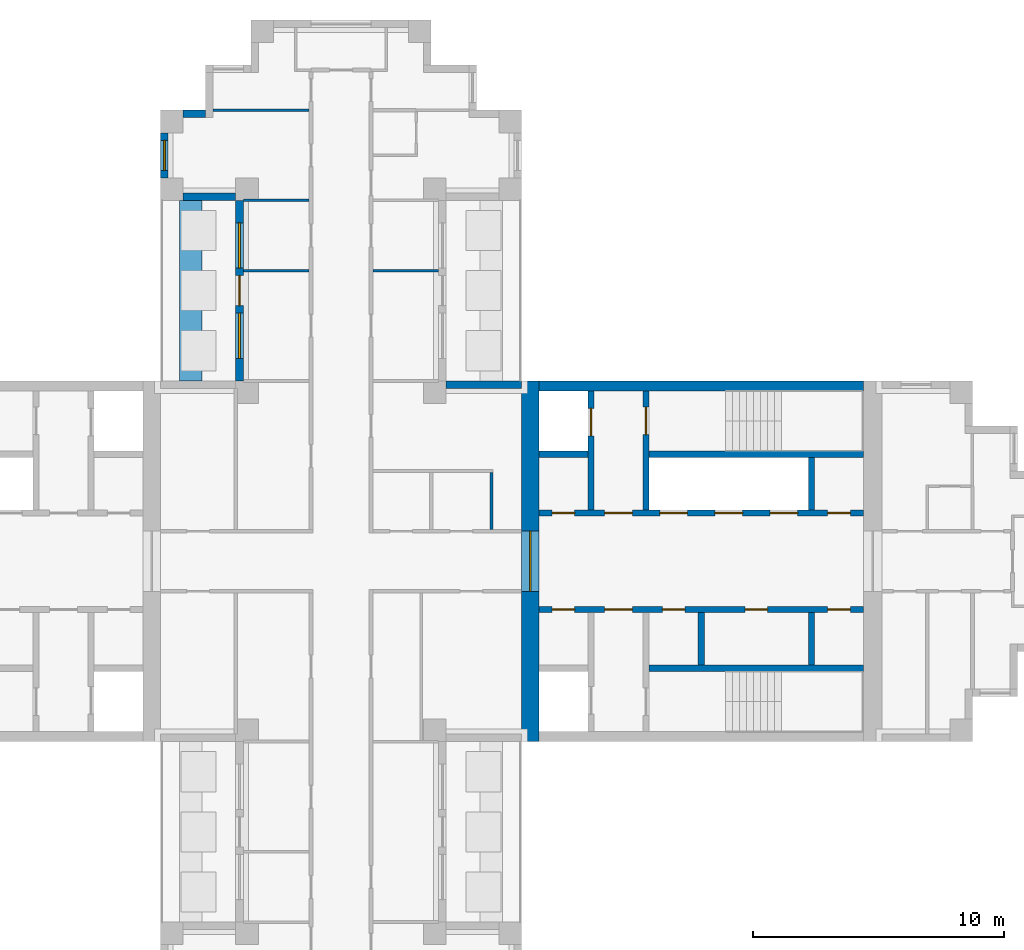
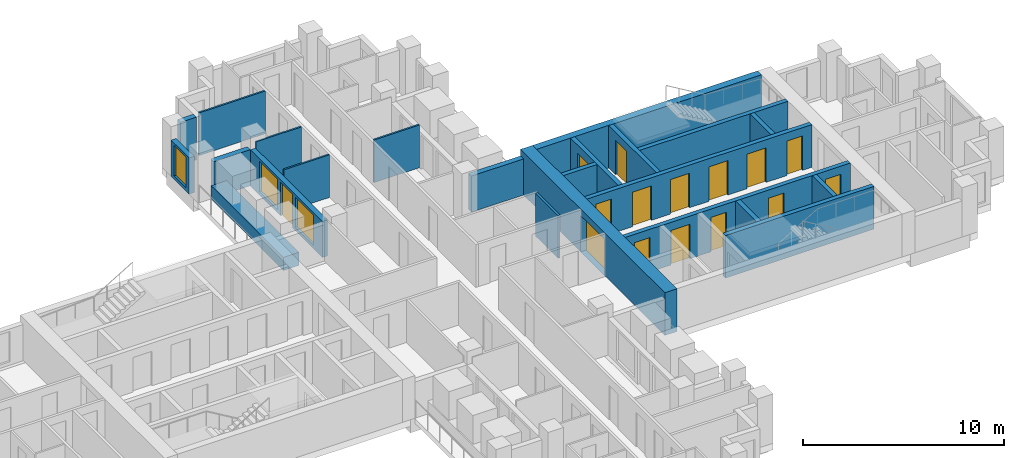
# One storey, part 6 of 10: 23 walls, 15 doors, 3 windows, 18 openings.
"""IFC4 building model written with IfcOpenShell, lengths in metres."""

from ifc_helpers import new_model, si_unit, direction, frame, frame_2d, origin, place, context, subcontext, project, spatial, rectangle, extrude, material, layer, layer_set, type_object, element, fill, save


model = new_model("IFC4")

# Units and contexts
model_context = context("Model", 3, precision=1e-05, world=origin(), true_north=direction((0.0, 1.0)))
body_context = subcontext(model_context, "Body", "Model", "MODEL_VIEW")
ifc_project = project(units=[si_unit("LENGTHUNIT", "METRE"), si_unit("AREAUNIT", "SQUARE_METRE"), si_unit("VOLUMEUNIT", "CUBIC_METRE"), si_unit("PLANEANGLEUNIT", "RADIAN"), si_unit("MASSUNIT", "GRAM", prefix="KILO")], contexts=[model_context])

# Site, building, storey
site_placement = place(None, origin())
site = spatial("IfcSite", under=ifc_project, at=site_placement, CompositionType="ELEMENT")
building_placement = place(site_placement, origin())
building = spatial("IfcBuilding", under=site, at=building_placement, Name="Fustian Cross Tower", CompositionType="ELEMENT")
storey_placement = place(building_placement, frame((0.0, 0.0, 182.699951171875)))
storey = spatial("IfcBuildingStorey", under=building, at=storey_placement, Name="L57", CompositionType="ELEMENT", Elevation=182.699951171875)

# Wall, opening, door
ifc_material_1 = material(Name="Concrete C50/60", Category="concrete")
ifc_layer_1 = layer(ifc_material_1, 0.699951171875)
ifc_layer_set_1 = layer_set([ifc_layer_1], Name="Concrete C50/60")
wall_type_1 = type_object("IfcWallType", Name="CORE END WALL 700 C50/60", PredefinedType="SHEAR", material=ifc_layer_set_1)
wall_1_placement = place(storey_placement, frame((7.550048828125, -7.199951171875, 0.0), z_axis=(0.0, 0.0, 1.0), x_axis=(0.0, 1.0, 0.0)))
wall_1 = element("IfcWall", 1, at=wall_1_placement, inside=storey, type_object=wall_type_1, Name="Core end wall", PredefinedType="SHEAR", context=body_context, shape_type="SweptSolid", body=[
    extrude(rectangle(XDim=14.39990234375, YDim=0.699951171875, at=frame_2d((7.199951171875, 0.0))), origin(), (0.0, 0.0, 1.0), 2.60009765625),
])
opening_1_placement = place(wall_1_placement, frame((6.0, 0.0, 0.0)))
opening_1 = element("IfcOpeningElement", 2, at=opening_1_placement, cuts=wall_1, Name="Opening CD-23-12", PredefinedType="OPENING", context=body_context, shape_type="SweptSolid", body=[
    extrude(rectangle(XDim=2.39990234375, YDim=2.199951171875, at=frame_2d((1.199951171875, 1.10009765625))), frame((0.0, 0.35986328125, 0.0), z_axis=(0.0, -1.0, 0.0), x_axis=(1.0, 0.0, 0.0)), (0.0, 0.0, 1.0), 0.719970703125),
])
ifc_material_2 = material(Name="Steel", Category="steel")
door_type_1 = type_object("IfcDoorType", Name="FIRE DOOR FD30S DOUBLE 2400X2200", OperationType="DOUBLE_DOOR_DOUBLE_SWING", PredefinedType="DOOR", material=ifc_material_2)
door_1_placement = place(opening_1_placement, frame((2.39990234375, 0.0, 0.0), z_axis=(0.0, 0.0, 1.0), x_axis=(-1.0, 0.0, 0.0)))
door_1 = element("IfcDoor", 3, at=door_1_placement, inside=storey, type_object=door_type_1, Name="Core door CD-23-12", OperationType="DOUBLE_DOOR_DOUBLE_SWING", OverallHeight=2.199951171875, OverallWidth=2.39990234375, PredefinedType="DOOR", context=body_context, shape_type="SweptSolid", body=[
    extrude(rectangle(XDim=2.39990234375, YDim=2.199951171875, at=frame_2d((1.199951171875, 1.10009765625))), frame((0.0, 0.02490234375, 0.0), z_axis=(0.0, -1.0, 0.0), x_axis=(1.0, 0.0, 0.0)), (0.0, 0.0, 1.0), 0.050048828125),
])
fill(opening_1, door_1)

# Wall
ifc_material_3 = material(Name="Concrete C50/60", Category="concrete")
ifc_layer_2 = layer(ifc_material_3, 0.39990234375)
ifc_layer_set_2 = layer_set([ifc_layer_2], Name="Concrete C50/60")
wall_type_2 = type_object("IfcWallType", Name="CORE FACADE WALL 400 C50/60", PredefinedType="SHEAR", material=ifc_layer_set_2)
wall_2_placement = place(storey_placement, frame((7.89990234375, 7.0, 0.0), z_axis=(0.0, 0.0, 1.0), x_axis=(1.0, 0.0, 0.0)))
element("IfcWall", 4, at=wall_2_placement, inside=storey, type_object=wall_type_2, Name="Core facade wall", PredefinedType="SHEAR", context=body_context, shape_type="SweptSolid", body=[
    extrude(rectangle(XDim=12.9501953125, YDim=0.39990234375, at=frame_2d((6.47509765625, 0.0))), origin(), (0.0, 0.0, 1.0), 2.60009765625),
])

# Wall, openings, doors
ifc_material_4 = material(Name="Concrete C50/60", Category="concrete")
ifc_layer_3 = layer(ifc_material_4, 0.25)
ifc_layer_set_3 = layer_set([ifc_layer_3], Name="Concrete C50/60")
wall_type_3 = type_object("IfcWallType", Name="CORE LOBBY WALL 250 C50/60", PredefinedType="SHEAR", material=ifc_layer_set_3)
wall_3_placement = place(storey_placement, frame((7.89990234375, 1.925048828125, 0.0), z_axis=(0.0, 0.0, 1.0), x_axis=(1.0, 0.0, 0.0)))
wall_3 = element("IfcWall", 5, at=wall_3_placement, inside=storey, type_object=wall_type_3, Name="Core lobby wall", PredefinedType="SHEAR", context=body_context, shape_type="SweptSolid", body=[
    extrude(rectangle(XDim=12.9501953125, YDim=0.25, at=frame_2d((6.47509765625, 0.0))), origin(), (0.0, 0.0, 1.0), 2.60009765625),
])
opening_2_placement = place(wall_3_placement, frame((4.824951171875, 0.0, 0.0)))
opening_2 = element("IfcOpeningElement", 6, at=opening_2_placement, cuts=wall_3, Name="Opening LD", PredefinedType="OPENING", context=body_context, shape_type="SweptSolid", body=[
    extrude(rectangle(XDim=1.10009765625, YDim=2.10009765625, at=frame_2d((0.550048828125, 1.050048828125))), frame((0.0, 0.135009765625, 0.0), z_axis=(0.0, -1.0, 0.0), x_axis=(1.0, 0.0, 0.0)), (0.0, 0.0, 1.0), 0.27001953125),
])
opening_3_placement = place(wall_3_placement, frame((7.02490234375, 0.0, 0.0)))
opening_3 = element("IfcOpeningElement", 7, at=opening_3_placement, cuts=wall_3, Name="Opening LD", PredefinedType="OPENING", context=body_context, shape_type="SweptSolid", body=[
    extrude(rectangle(XDim=1.10009765625, YDim=2.10009765625, at=frame_2d((0.550048828125, 1.050048828125))), frame((0.0, 0.135009765625, 0.0), z_axis=(0.0, -1.0, 0.0), x_axis=(1.0, 0.0, 0.0)), (0.0, 0.0, 1.0), 0.27001953125),
])
opening_4_placement = place(wall_3_placement, frame((9.22509765625, 0.0, 0.0)))
opening_4 = element("IfcOpeningElement", 8, at=opening_4_placement, cuts=wall_3, Name="Opening LD", PredefinedType="OPENING", context=body_context, shape_type="SweptSolid", body=[
    extrude(rectangle(XDim=1.10009765625, YDim=2.10009765625, at=frame_2d((0.550048828125, 1.050048828125))), frame((0.0, 0.135009765625, 0.0), z_axis=(0.0, -1.0, 0.0), x_axis=(1.0, 0.0, 0.0)), (0.0, 0.0, 1.0), 0.27001953125),
])
opening_5_placement = place(wall_3_placement, frame((0.52490234375, 0.0, 0.0)))
opening_5 = element("IfcOpeningElement", 9, at=opening_5_placement, cuts=wall_3, Name="Opening CD-23-08", PredefinedType="OPENING", context=body_context, shape_type="SweptSolid", body=[
    extrude(rectangle(XDim=0.89990234375, YDim=2.10009765625, at=frame_2d((0.449951171875, 1.050048828125))), frame((0.0, 0.135009765625, 0.0), z_axis=(0.0, -1.0, 0.0), x_axis=(1.0, 0.0, 0.0)), (0.0, 0.0, 1.0), 0.27001953125),
])
opening_6_placement = place(wall_3_placement, frame((2.625, 0.0, 0.0)))
opening_6 = element("IfcOpeningElement", 10, at=opening_6_placement, cuts=wall_3, Name="Opening CD-23-10", PredefinedType="OPENING", context=body_context, shape_type="SweptSolid", body=[
    extrude(rectangle(XDim=1.10009765625, YDim=2.10009765625, at=frame_2d((0.550048828125, 1.050048828125))), frame((0.0, 0.135009765625, 0.0), z_axis=(0.0, -1.0, 0.0), x_axis=(1.0, 0.0, 0.0)), (0.0, 0.0, 1.0), 0.27001953125),
])
opening_7_placement = place(wall_3_placement, frame((11.52490234375, 0.0, 0.0)))
opening_7 = element("IfcOpeningElement", 11, at=opening_7_placement, cuts=wall_3, Name="Opening CD-23-14", PredefinedType="OPENING", context=body_context, shape_type="SweptSolid", body=[
    extrude(rectangle(XDim=0.89990234375, YDim=2.10009765625, at=frame_2d((0.449951171875, 1.050048828125))), frame((0.0, 0.135009765625, 0.0), z_axis=(0.0, -1.0, 0.0), x_axis=(1.0, 0.0, 0.0)), (0.0, 0.0, 1.0), 0.27001953125),
])
ifc_material_5 = material(Name="Steel", Category="steel")
door_type_2 = type_object("IfcDoorType", Name="FIRE DOOR FD30S 900X2100", OperationType="SINGLE_SWING_LEFT", PredefinedType="DOOR", material=ifc_material_5)
door_2_placement = place(opening_7_placement, origin())
door_2 = element("IfcDoor", 12, at=door_2_placement, inside=storey, type_object=door_type_2, Name="Core door CD-23-14", OperationType="SINGLE_SWING_LEFT", OverallHeight=2.10009765625, OverallWidth=0.89990234375, PredefinedType="DOOR", context=body_context, shape_type="SweptSolid", body=[
    extrude(rectangle(XDim=0.89990234375, YDim=2.10009765625, at=frame_2d((0.449951171875, 1.050048828125))), frame((0.0, 0.02490234375, 0.0), z_axis=(0.0, -1.0, 0.0), x_axis=(1.0, 0.0, 0.0)), (0.0, 0.0, 1.0), 0.050048828125),
])
fill(opening_7, door_2)
ifc_material_6 = material(Name="Steel", Category="steel")
door_type_3 = type_object("IfcDoorType", Name="FIRE DOOR FD60S 1100X2100", OperationType="SINGLE_SWING_LEFT", PredefinedType="DOOR", material=ifc_material_6)
door_3_placement = place(opening_6_placement, frame((1.10009765625, 0.0, 0.0), z_axis=(0.0, 0.0, 1.0), x_axis=(-1.0, 0.0, 0.0)))
door_3 = element("IfcDoor", 13, at=door_3_placement, inside=storey, type_object=door_type_3, Name="Core door CD-23-10", OperationType="SINGLE_SWING_RIGHT", OverallHeight=2.10009765625, OverallWidth=1.10009765625, PredefinedType="DOOR", context=body_context, shape_type="SweptSolid", body=[
    extrude(rectangle(XDim=1.10009765625, YDim=2.10009765625, at=frame_2d((0.550048828125, 1.050048828125))), frame((0.0, 0.02490234375, 0.0), z_axis=(0.0, -1.0, 0.0), x_axis=(1.0, 0.0, 0.0)), (0.0, 0.0, 1.0), 0.050048828125),
])
fill(opening_6, door_3)
ifc_material_7 = material(Name="Steel", Category="steel")
door_type_4 = type_object("IfcDoorType", Name="FIRE DOOR FD60S 900X2100", OperationType="SINGLE_SWING_LEFT", PredefinedType="DOOR", material=ifc_material_7)
door_4_placement = place(opening_5_placement, origin())
door_4 = element("IfcDoor", 14, at=door_4_placement, inside=storey, type_object=door_type_4, Name="Core door CD-23-08", OperationType="SINGLE_SWING_LEFT", OverallHeight=2.10009765625, OverallWidth=0.89990234375, PredefinedType="DOOR", context=body_context, shape_type="SweptSolid", body=[
    extrude(rectangle(XDim=0.89990234375, YDim=2.10009765625, at=frame_2d((0.449951171875, 1.050048828125))), frame((0.0, 0.02490234375, 0.0), z_axis=(0.0, -1.0, 0.0), x_axis=(1.0, 0.0, 0.0)), (0.0, 0.0, 1.0), 0.050048828125),
])
fill(opening_5, door_4)
ifc_material_8 = material(Name="Stainless steel", Category="steel")
door_type_5 = type_object("IfcDoorType", Name="LIFT LANDING DOOR 1100X2100", OperationType="SLIDING_TO_LEFT", PredefinedType="DOOR", material=ifc_material_8)
door_5_placement = place(opening_2_placement, origin())
door_5 = element("IfcDoor", 15, at=door_5_placement, inside=storey, type_object=door_type_5, Name="Landing door HR1", OperationType="SLIDING_TO_LEFT", OverallHeight=2.10009765625, OverallWidth=1.10009765625, PredefinedType="DOOR", context=body_context, shape_type="SweptSolid", body=[
    extrude(rectangle(XDim=1.10009765625, YDim=2.10009765625, at=frame_2d((0.550048828125, 1.050048828125))), frame((0.0, 0.02490234375, 0.0), z_axis=(0.0, -1.0, 0.0), x_axis=(1.0, 0.0, 0.0)), (0.0, 0.0, 1.0), 0.050048828125),
])
fill(opening_2, door_5)
door_6_placement = place(opening_3_placement, origin())
door_6 = element("IfcDoor", 16, at=door_6_placement, inside=storey, type_object=door_type_5, Name="Landing door HR2", OperationType="SLIDING_TO_LEFT", OverallHeight=2.10009765625, OverallWidth=1.10009765625, PredefinedType="DOOR", context=body_context, shape_type="SweptSolid", body=[
    extrude(rectangle(XDim=1.10009765625, YDim=2.10009765625, at=frame_2d((0.550048828125, 1.050048828125))), frame((0.0, 0.02490234375, 0.0), z_axis=(0.0, -1.0, 0.0), x_axis=(1.0, 0.0, 0.0)), (0.0, 0.0, 1.0), 0.050048828125),
])
fill(opening_3, door_6)
door_7_placement = place(opening_4_placement, origin())
door_7 = element("IfcDoor", 17, at=door_7_placement, inside=storey, type_object=door_type_5, Name="Landing door HR3", OperationType="SLIDING_TO_LEFT", OverallHeight=2.10009765625, OverallWidth=1.10009765625, PredefinedType="DOOR", context=body_context, shape_type="SweptSolid", body=[
    extrude(rectangle(XDim=1.10009765625, YDim=2.10009765625, at=frame_2d((0.550048828125, 1.050048828125))), frame((0.0, 0.02490234375, 0.0), z_axis=(0.0, -1.0, 0.0), x_axis=(1.0, 0.0, 0.0)), (0.0, 0.0, 1.0), 0.050048828125),
])
fill(opening_4, door_7)

wall_4_placement = place(storey_placement, frame((7.89990234375, -1.925048828125, 0.0), z_axis=(0.0, 0.0, 1.0), x_axis=(1.0, 0.0, 0.0)))
wall_4 = element("IfcWall", 18, at=wall_4_placement, inside=storey, type_object=wall_type_3, Name="Core lobby wall", PredefinedType="SHEAR", context=body_context, shape_type="SweptSolid", body=[
    extrude(rectangle(XDim=12.9501953125, YDim=0.25, at=frame_2d((6.47509765625, 0.0))), origin(), (0.0, 0.0, 1.0), 2.60009765625),
])
opening_8_placement = place(wall_4_placement, frame((0.52490234375, 0.0, 0.0)))
opening_8 = element("IfcOpeningElement", 19, at=opening_8_placement, cuts=wall_4, Name="Opening CD-23-09", PredefinedType="OPENING", context=body_context, shape_type="SweptSolid", body=[
    extrude(rectangle(XDim=0.89990234375, YDim=2.10009765625, at=frame_2d((0.449951171875, 1.050048828125))), frame((0.0, 0.135009765625, 0.0), z_axis=(0.0, -1.0, 0.0), x_axis=(1.0, 0.0, 0.0)), (0.0, 0.0, 1.0), 0.27001953125),
])
opening_9_placement = place(wall_4_placement, frame((2.625, 0.0, 0.0)))
opening_9 = element("IfcOpeningElement", 20, at=opening_9_placement, cuts=wall_4, Name="Opening CD-23-11", PredefinedType="OPENING", context=body_context, shape_type="SweptSolid", body=[
    extrude(rectangle(XDim=1.10009765625, YDim=2.10009765625, at=frame_2d((0.550048828125, 1.050048828125))), frame((0.0, 0.135009765625, 0.0), z_axis=(0.0, -1.0, 0.0), x_axis=(1.0, 0.0, 0.0)), (0.0, 0.0, 1.0), 0.27001953125),
])
opening_10_placement = place(wall_4_placement, frame((4.925048828125, 0.0, 0.0)))
opening_10 = element("IfcOpeningElement", 21, at=opening_10_placement, cuts=wall_4, Name="Opening CD-23-15", PredefinedType="OPENING", context=body_context, shape_type="SweptSolid", body=[
    extrude(rectangle(XDim=0.89990234375, YDim=2.10009765625, at=frame_2d((0.449951171875, 1.050048828125))), frame((0.0, 0.135009765625, 0.0), z_axis=(0.0, -1.0, 0.0), x_axis=(1.0, 0.0, 0.0)), (0.0, 0.0, 1.0), 0.27001953125),
])
opening_11_placement = place(wall_4_placement, frame((8.22509765625, 0.0, 0.0)))
opening_11 = element("IfcOpeningElement", 22, at=opening_11_placement, cuts=wall_4, Name="Opening CD-23-16", PredefinedType="OPENING", context=body_context, shape_type="SweptSolid", body=[
    extrude(rectangle(XDim=0.89990234375, YDim=2.10009765625, at=frame_2d((0.449951171875, 1.050048828125))), frame((0.0, 0.135009765625, 0.0), z_axis=(0.0, -1.0, 0.0), x_axis=(1.0, 0.0, 0.0)), (0.0, 0.0, 1.0), 0.27001953125),
])
opening_12_placement = place(wall_4_placement, frame((11.52490234375, 0.0, 0.0)))
opening_12 = element("IfcOpeningElement", 23, at=opening_12_placement, cuts=wall_4, Name="Opening CD-23-17", PredefinedType="OPENING", context=body_context, shape_type="SweptSolid", body=[
    extrude(rectangle(XDim=0.89990234375, YDim=2.10009765625, at=frame_2d((0.449951171875, 1.050048828125))), frame((0.0, 0.135009765625, 0.0), z_axis=(0.0, -1.0, 0.0), x_axis=(1.0, 0.0, 0.0)), (0.0, 0.0, 1.0), 0.27001953125),
])
ifc_material_9 = material(Name="Steel", Category="steel")
door_type_6 = type_object("IfcDoorType", Name="FIRE DOOR FD30S 1100X2100", OperationType="SINGLE_SWING_LEFT", PredefinedType="DOOR", material=ifc_material_9)
door_8_placement = place(opening_9_placement, frame((1.10009765625, 0.0, 0.0), z_axis=(0.0, 0.0, 1.0), x_axis=(-1.0, 0.0, 0.0)))
door_8 = element("IfcDoor", 24, at=door_8_placement, inside=storey, type_object=door_type_6, Name="Core door CD-23-11", OperationType="SINGLE_SWING_RIGHT", OverallHeight=2.10009765625, OverallWidth=1.10009765625, PredefinedType="DOOR", context=body_context, shape_type="SweptSolid", body=[
    extrude(rectangle(XDim=1.10009765625, YDim=2.10009765625, at=frame_2d((0.550048828125, 1.050048828125))), frame((0.0, 0.02490234375, 0.0), z_axis=(0.0, -1.0, 0.0), x_axis=(1.0, 0.0, 0.0)), (0.0, 0.0, 1.0), 0.050048828125),
])
fill(opening_9, door_8)
door_9_placement = place(opening_8_placement, frame((0.89990234375, 0.0, 0.0), z_axis=(0.0, 0.0, 1.0), x_axis=(-1.0, 0.0, 0.0)))
door_9 = element("IfcDoor", 25, at=door_9_placement, inside=storey, type_object=door_type_2, Name="Core door CD-23-09", OperationType="SINGLE_SWING_RIGHT", OverallHeight=2.10009765625, OverallWidth=0.89990234375, PredefinedType="DOOR", context=body_context, shape_type="SweptSolid", body=[
    extrude(rectangle(XDim=0.89990234375, YDim=2.10009765625, at=frame_2d((0.449951171875, 1.050048828125))), frame((0.0, 0.02490234375, 0.0), z_axis=(0.0, -1.0, 0.0), x_axis=(1.0, 0.0, 0.0)), (0.0, 0.0, 1.0), 0.050048828125),
])
fill(opening_8, door_9)
door_10_placement = place(opening_10_placement, frame((0.89990234375, 0.0, 0.0), z_axis=(0.0, 0.0, 1.0), x_axis=(-1.0, 0.0, 0.0)))
door_10 = element("IfcDoor", 26, at=door_10_placement, inside=storey, type_object=door_type_2, Name="Core door CD-23-15", OperationType="SINGLE_SWING_RIGHT", OverallHeight=2.10009765625, OverallWidth=0.89990234375, PredefinedType="DOOR", context=body_context, shape_type="SweptSolid", body=[
    extrude(rectangle(XDim=0.89990234375, YDim=2.10009765625, at=frame_2d((0.449951171875, 1.050048828125))), frame((0.0, 0.02490234375, 0.0), z_axis=(0.0, -1.0, 0.0), x_axis=(1.0, 0.0, 0.0)), (0.0, 0.0, 1.0), 0.050048828125),
])
fill(opening_10, door_10)
door_11_placement = place(opening_11_placement, frame((0.89990234375, 0.0, 0.0), z_axis=(0.0, 0.0, 1.0), x_axis=(-1.0, 0.0, 0.0)))
door_11 = element("IfcDoor", 27, at=door_11_placement, inside=storey, type_object=door_type_2, Name="Core door CD-23-16", OperationType="SINGLE_SWING_LEFT", OverallHeight=2.10009765625, OverallWidth=0.89990234375, PredefinedType="DOOR", context=body_context, shape_type="SweptSolid", body=[
    extrude(rectangle(XDim=0.89990234375, YDim=2.10009765625, at=frame_2d((0.449951171875, 1.050048828125))), frame((0.0, 0.02490234375, 0.0), z_axis=(0.0, -1.0, 0.0), x_axis=(1.0, 0.0, 0.0)), (0.0, 0.0, 1.0), 0.050048828125),
])
fill(opening_11, door_11)
door_12_placement = place(opening_12_placement, frame((0.89990234375, 0.0, 0.0), z_axis=(0.0, 0.0, 1.0), x_axis=(-1.0, 0.0, 0.0)))
door_12 = element("IfcDoor", 28, at=door_12_placement, inside=storey, type_object=door_type_2, Name="Core door CD-23-17", OperationType="SINGLE_SWING_RIGHT", OverallHeight=2.10009765625, OverallWidth=0.89990234375, PredefinedType="DOOR", context=body_context, shape_type="SweptSolid", body=[
    extrude(rectangle(XDim=0.89990234375, YDim=2.10009765625, at=frame_2d((0.449951171875, 1.050048828125))), frame((0.0, 0.02490234375, 0.0), z_axis=(0.0, -1.0, 0.0), x_axis=(1.0, 0.0, 0.0)), (0.0, 0.0, 1.0), 0.050048828125),
])
fill(opening_12, door_12)

# Walls
ifc_material_10 = material(Name="Concrete C50/60", Category="concrete")
ifc_layer_4 = layer(ifc_material_10, 0.25)
ifc_layer_set_4 = layer_set([ifc_layer_4], Name="Concrete C50/60")
wall_type_4 = type_object("IfcWallType", Name="CORE SHAFT WALL 250 C50/60", PredefinedType="SHEAR", material=ifc_layer_set_4)
wall_5_placement = place(storey_placement, frame((7.89990234375, 4.27490234375, 0.0), z_axis=(0.0, 0.0, 1.0), x_axis=(1.0, 0.0, 0.0)))
element("IfcWall", 29, at=wall_5_placement, inside=storey, type_object=wall_type_4, Name="Core shaft wall", PredefinedType="SHEAR", context=body_context, shape_type="SweptSolid", body=[
    extrude(rectangle(XDim=1.9501953125, YDim=0.25, at=frame_2d((0.97509765625, 0.0))), origin(), (0.0, 0.0, 1.0), 2.60009765625),
])
wall_6_placement = place(storey_placement, frame((12.300048828125, 4.27490234375, 0.0), z_axis=(0.0, 0.0, 1.0), x_axis=(1.0, 0.0, 0.0)))
element("IfcWall", 30, at=wall_6_placement, inside=storey, type_object=wall_type_4, Name="Core shaft wall", PredefinedType="SHEAR", context=body_context, shape_type="SweptSolid", body=[
    extrude(rectangle(XDim=8.550048828125, YDim=0.25, at=frame_2d((4.27490234375, 0.0))), origin(), (0.0, 0.0, 1.0), 2.60009765625),
])

# Wall, opening, door
wall_7_placement = place(storey_placement, frame((9.97509765625, 2.050048828125, 0.0), z_axis=(0.0, 0.0, 1.0), x_axis=(0.0, 1.0, 0.0)))
wall_7 = element("IfcWall", 31, at=wall_7_placement, inside=storey, type_object=wall_type_4, Name="Core shaft wall", PredefinedType="SHEAR", context=body_context, shape_type="SweptSolid", body=[
    extrude(rectangle(XDim=4.75, YDim=0.25, at=frame_2d((2.375, 0.0))), origin(), (0.0, 0.0, 1.0), 2.60009765625),
])
opening_13_placement = place(wall_7_placement, frame((2.949951171875, 0.0, 0.0)))
opening_13 = element("IfcOpeningElement", 32, at=opening_13_placement, cuts=wall_7, Name="Opening LD", PredefinedType="OPENING", context=body_context, shape_type="SweptSolid", body=[
    extrude(rectangle(XDim=1.10009765625, YDim=2.10009765625, at=frame_2d((0.550048828125, 1.050048828125))), frame((0.0, 0.135009765625, 0.0), z_axis=(0.0, -1.0, 0.0), x_axis=(1.0, 0.0, 0.0)), (0.0, 0.0, 1.0), 0.27001953125),
])
door_13_placement = place(opening_13_placement, origin())
door_13 = element("IfcDoor", 33, at=door_13_placement, inside=storey, type_object=door_type_5, Name="Landing door FL1", OperationType="SLIDING_TO_LEFT", OverallHeight=2.10009765625, OverallWidth=1.10009765625, PredefinedType="DOOR", context=body_context, shape_type="SweptSolid", body=[
    extrude(rectangle(XDim=1.10009765625, YDim=2.10009765625, at=frame_2d((0.550048828125, 1.050048828125))), frame((0.0, 0.02490234375, 0.0), z_axis=(0.0, -1.0, 0.0), x_axis=(1.0, 0.0, 0.0)), (0.0, 0.0, 1.0), 0.050048828125),
])
fill(opening_13, door_13)

wall_8_placement = place(storey_placement, frame((12.175048828125, 2.050048828125, 0.0), z_axis=(0.0, 0.0, 1.0), x_axis=(0.0, 1.0, 0.0)))
wall_8 = element("IfcWall", 34, at=wall_8_placement, inside=storey, type_object=wall_type_4, Name="Core shaft wall", PredefinedType="SHEAR", context=body_context, shape_type="SweptSolid", body=[
    extrude(rectangle(XDim=4.75, YDim=0.25, at=frame_2d((2.375, 0.0))), origin(), (0.0, 0.0, 1.0), 2.60009765625),
])
opening_14_placement = place(wall_8_placement, frame((3.0, 0.0, 0.0)))
opening_14 = element("IfcOpeningElement", 35, at=opening_14_placement, cuts=wall_8, Name="Opening CD-23-06", PredefinedType="OPENING", context=body_context, shape_type="SweptSolid", body=[
    extrude(rectangle(XDim=1.10009765625, YDim=2.10009765625, at=frame_2d((0.550048828125, 1.050048828125))), frame((0.0, 0.135009765625, 0.0), z_axis=(0.0, -1.0, 0.0), x_axis=(1.0, 0.0, 0.0)), (0.0, 0.0, 1.0), 0.27001953125),
])
door_14_placement = place(opening_14_placement, frame((1.10009765625, 0.0, 0.0), z_axis=(0.0, 0.0, 1.0), x_axis=(-1.0, 0.0, 0.0)))
door_14 = element("IfcDoor", 36, at=door_14_placement, inside=storey, type_object=door_type_3, Name="Core door CD-23-06", OperationType="SINGLE_SWING_RIGHT", OverallHeight=2.10009765625, OverallWidth=1.10009765625, PredefinedType="DOOR", context=body_context, shape_type="SweptSolid", body=[
    extrude(rectangle(XDim=1.10009765625, YDim=2.10009765625, at=frame_2d((0.550048828125, 1.050048828125))), frame((0.0, 0.02490234375, 0.0), z_axis=(0.0, -1.0, 0.0), x_axis=(1.0, 0.0, 0.0)), (0.0, 0.0, 1.0), 0.050048828125),
])
fill(opening_14, door_14)

# Walls
wall_9_placement = place(storey_placement, frame((12.300048828125, -4.27490234375, 0.0), z_axis=(0.0, 0.0, 1.0), x_axis=(1.0, 0.0, 0.0)))
element("IfcWall", 37, at=wall_9_placement, inside=storey, type_object=wall_type_4, Name="Core shaft wall", PredefinedType="SHEAR", context=body_context, shape_type="SweptSolid", body=[
    extrude(rectangle(XDim=8.550048828125, YDim=0.25, at=frame_2d((4.27490234375, 0.0))), origin(), (0.0, 0.0, 1.0), 2.60009765625),
])
ifc_material_11 = material(Name="Plasterboard on steel stud", Category="steel")
ifc_layer_5 = layer(ifc_material_11, 0.10009765625)
ifc_layer_set_5 = layer_set([ifc_layer_5], Name="Plasterboard on steel stud")
wall_type_5 = type_object("IfcWallType", Name="PARTITION 100 STUD", PredefinedType="PARTITIONING", material=ifc_layer_set_5)
wall_10_placement = place(storey_placement, frame((-5.10009765625, 18.0, 0.0), z_axis=(0.0, 0.0, 1.0), x_axis=(1.0, 0.0, 0.0)))
element("IfcWall", 38, at=wall_10_placement, inside=storey, type_object=wall_type_5, Name="Partition 15", PredefinedType="PARTITIONING", context=body_context, shape_type="SweptSolid", body=[
    extrude(rectangle(XDim=3.8251953125, YDim=0.10009765625, at=frame_2d((1.91259765625, 0.0))), origin(), (0.0, 0.0, 1.0), 2.60009765625),
])
for number, where, z_axis, x_axis, name in (
    (39, (-3.89990234375, 11.60009765625, 0.0), (0.0, 0.0, 1.0), (1.0, 0.0, 0.0), "Partition 22"),
    (40, (-3.89990234375, 14.39990234375, 0.0), (0.0, 0.0, 1.0), (1.0, 0.0, 0.0), "Partition 23"),
    (41, (1.27490234375, 11.60009765625, 0.0), (0.0, 0.0, 1.0), (1.0, 0.0, 0.0), "Partition 46"),
):
    element("IfcWall", number, at=place(storey_placement, frame(where, z_axis=z_axis, x_axis=x_axis)), inside=storey, type_object=wall_type_5, Name=name, PredefinedType="PARTITIONING", context=body_context, shape_type="SweptSolid", body=[
        extrude(rectangle(XDim=2.625, YDim=0.10009765625, at=frame_2d((1.3125, 0.0))), origin(), (0.0, 0.0, 1.0), 2.60009765625),
    ])
ifc_material_12 = material(Name="Concrete C40/50", Category="concrete")
ifc_layer_6 = layer(ifc_material_12, 0.89990234375)
ifc_layer_set_6 = layer_set([ifc_layer_6], Name="Concrete C40/50")
wall_type_6 = type_object("IfcWallType", Name="PK1 PLANTER 900", PredefinedType="PARAPET", material=ifc_layer_set_6)
wall_11_placement = place(storey_placement, frame((-6.0, 7.199951171875, 0.0), z_axis=(0.0, 0.0, 1.0), x_axis=(0.0, 1.0, 0.0)))
element("IfcWall", 42, at=wall_11_placement, inside=storey, type_object=wall_type_6, Name="PLANTER", PredefinedType="PARAPET", context=body_context, shape_type="SweptSolid", body=[
    extrude(rectangle(XDim=7.199951171875, YDim=0.89990234375, at=frame_2d((3.60009765625, 0.0))), origin(), (0.0, 0.0, 1.0), 0.800048828125),
])
ifc_material_13 = material(Name="Concrete C40/50", Category="concrete")
ifc_layer_7 = layer(ifc_material_13, 0.25)
ifc_layer_set_7 = layer_set([ifc_layer_7], Name="Concrete C40/50")
wall_type_7 = type_object("IfcWallType", Name="SHAFT PARTITION WALL 250 C40/50", PredefinedType="PARTITIONING", material=ifc_layer_set_7)
for number, where, z_axis, x_axis, name in (
    (43, (18.77490234375, 2.050048828125, 0.0), (0.0, 0.0, 1.0), (0.0, 1.0, 0.0), "Core shaft wall"),
    (44, (14.375, -2.050048828125, 0.0), (0.0, 0.0, 1.0), (0.0, -1.0, 0.0), "Core shaft wall"),
    (45, (18.77490234375, -2.050048828125, 0.0), (0.0, 0.0, 1.0), (0.0, -1.0, 0.0), "Core shaft wall"),
):
    element("IfcWall", number, at=place(storey_placement, frame(where, z_axis=z_axis, x_axis=x_axis)), inside=storey, type_object=wall_type_7, Name=name, PredefinedType="PARTITIONING", context=body_context, shape_type="SweptSolid", body=[
        extrude(rectangle(XDim=2.099853515625, YDim=0.25, at=frame_2d((1.0498046875, 0.0))), origin(), (0.0, 0.0, 1.0), 2.60009765625),
    ])
ifc_material_14 = material(Name="Plasterboard on steel stud", Category="steel")
ifc_layer_8 = layer(ifc_material_14, 0.125)
ifc_layer_set_8 = layer_set([ifc_layer_8], Name="Plasterboard on steel stud")
wall_type_8 = type_object("IfcWallType", Name="WET WALL 125 STUD", PredefinedType="PARTITIONING", material=ifc_layer_set_8)
wall_12_placement = place(storey_placement, frame((6.0, 1.27490234375, 0.0), z_axis=(0.0, 0.0, 1.0), x_axis=(0.0, 1.0, 0.0)))
element("IfcWall", 46, at=wall_12_placement, inside=storey, type_object=wall_type_8, Name="Partition 57", PredefinedType="PARTITIONING", context=body_context, shape_type="SweptSolid", body=[
    extrude(rectangle(XDim=2.2626953125, YDim=0.125, at=frame_2d((1.13134765625, 0.0))), origin(), (0.0, 0.0, 1.0), 2.60009765625),
])
ifc_material_15 = material(Name="Dark aluminium cladding on insulated backing wall", Category="aluminium")
ifc_layer_9 = layer(ifc_material_15, 0.300048828125)
ifc_layer_set_9 = layer_set([ifc_layer_9], Name="Dark aluminium cladding on insulated backing wall")
wall_type_9 = type_object("IfcWallType", Name="XW1 EXTERNAL WALL 300", PredefinedType="SOLIDWALL", material=ifc_layer_set_9)
wall_13_placement = place(storey_placement, frame((7.199951171875, 7.050048828125, 0.0), z_axis=(0.0, 0.0, 1.0), x_axis=(-1.0, 0.0, 0.0)))
element("IfcWall", 47, at=wall_13_placement, inside=storey, type_object=wall_type_9, Name="External wall", PredefinedType="SOLIDWALL", context=body_context, shape_type="SweptSolid", body=[
    extrude(rectangle(XDim=3.0, YDim=0.300048828125, at=frame_2d((1.5, 0.0))), origin(), (0.0, 0.0, 1.0), 2.199951171875),
])
wall_14_placement = place(storey_placement, frame((-5.39990234375, 17.85009765625, 0.0), z_axis=(0.0, 0.0, 1.0), x_axis=(-1.0, 0.0, 0.0)))
element("IfcWall", 48, at=wall_14_placement, inside=storey, type_object=wall_type_9, Name="External wall", PredefinedType="SOLIDWALL", context=body_context, shape_type="SweptSolid", body=[
    extrude(rectangle(XDim=0.900146484375, YDim=0.300048828125, at=frame_2d((0.4501953125, 0.0))), origin(), (0.0, 0.0, 1.0), 2.60009765625),
])

# Wall, opening, window
wall_15_placement = place(storey_placement, frame((-7.050048828125, 17.10009765625, 0.0), z_axis=(0.0, 0.0, 1.0), x_axis=(0.0, -1.0, 0.0)))
wall_15 = element("IfcWall", 49, at=wall_15_placement, inside=storey, type_object=wall_type_9, Name="External wall", PredefinedType="SOLIDWALL", context=body_context, shape_type="SweptSolid", body=[
    extrude(rectangle(XDim=1.800048828125, YDim=0.300048828125, at=frame_2d((0.89990234375, 0.0))), origin(), (0.0, 0.0, 1.0), 2.199951171875),
])
opening_15_placement = place(wall_15_placement, frame((0.300048828125, 0.0, 0.199951171875)))
opening_15 = element("IfcOpeningElement", 50, at=opening_15_placement, cuts=wall_15, Name="Opening WN3", PredefinedType="OPENING", context=body_context, shape_type="SweptSolid", body=[
    extrude(rectangle(XDim=1.199951171875, YDim=1.85009765625, at=frame_2d((0.60009765625, 0.925048828125))), frame((0.0, 0.159912109375, 0.0), z_axis=(0.0, -1.0, 0.0), x_axis=(1.0, 0.0, 0.0)), (0.0, 0.0, 1.0), 0.320068359375),
])
ifc_material_16 = material(Name="Dark anodised aluminium and double glazing", Category="aluminium")
window_type_1 = type_object("IfcWindowType", Name="WN3 WINDOW 1200X1850", PartitioningType="SINGLE_PANEL", PredefinedType="WINDOW", material=ifc_material_16)
window_1_placement = place(opening_15_placement, origin())
window_1 = element("IfcWindow", 51, at=window_1_placement, inside=storey, type_object=window_type_1, Name="Window", OverallHeight=1.85009765625, OverallWidth=1.199951171875, PartitioningType="SINGLE_PANEL", PredefinedType="WINDOW", context=body_context, shape_type="SweptSolid", body=[
    extrude(rectangle(XDim=1.199951171875, YDim=1.85009765625, at=frame_2d((0.60009765625, 0.925048828125))), frame((0.0, 0.030029296875, 0.0), z_axis=(0.0, -1.0, 0.0), x_axis=(1.0, 0.0, 0.0)), (0.0, 0.0, 1.0), 0.06005859375),
])
fill(opening_15, window_1)

# Wall
wall_16_placement = place(storey_placement, frame((-6.300048828125, 14.550048828125, 0.0), z_axis=(0.0, 0.0, 1.0), x_axis=(1.0, 0.0, 0.0)))
element("IfcWall", 52, at=wall_16_placement, inside=storey, type_object=wall_type_9, Name="External wall", PredefinedType="SOLIDWALL", context=body_context, shape_type="SweptSolid", body=[
    extrude(rectangle(XDim=2.10009765625, YDim=0.300048828125, at=frame_2d((1.050048828125, 0.0))), origin(), (0.0, 0.0, 1.0), 2.199951171875),
])

# Wall, openings, door, windows
wall_17_placement = place(storey_placement, frame((-4.050048828125, 14.39990234375, 0.0), z_axis=(0.0, 0.0, 1.0), x_axis=(0.0, -1.0, 0.0)))
wall_17 = element("IfcWall", 53, at=wall_17_placement, inside=storey, type_object=wall_type_9, Name="External wall", PredefinedType="SOLIDWALL", context=body_context, shape_type="SweptSolid", body=[
    extrude(rectangle(XDim=7.199951171875, YDim=0.300048828125, at=frame_2d((3.60009765625, 0.0))), origin(), (0.0, 0.0, 1.0), 2.199951171875),
])
opening_16_placement = place(wall_17_placement, frame((3.0, 0.0, 0.0)))
opening_16 = element("IfcOpeningElement", 54, at=opening_16_placement, cuts=wall_17, Name="Opening XD2", PredefinedType="OPENING", context=body_context, shape_type="SweptSolid", body=[
    extrude(rectangle(XDim=1.199951171875, YDim=2.050048828125, at=frame_2d((0.60009765625, 1.02490234375))), frame((0.0, 0.159912109375, 0.0), z_axis=(0.0, -1.0, 0.0), x_axis=(1.0, 0.0, 0.0)), (0.0, 0.0, 1.0), 0.320068359375),
])
opening_17_placement = place(wall_17_placement, frame((0.89990234375, 0.0, 0.199951171875)))
opening_17 = element("IfcOpeningElement", 55, at=opening_17_placement, cuts=wall_17, Name="Opening WN2", PredefinedType="OPENING", context=body_context, shape_type="SweptSolid", body=[
    extrude(rectangle(XDim=1.800048828125, YDim=1.85009765625, at=frame_2d((0.89990234375, 0.925048828125))), frame((0.0, 0.159912109375, 0.0), z_axis=(0.0, -1.0, 0.0), x_axis=(1.0, 0.0, 0.0)), (0.0, 0.0, 1.0), 0.320068359375),
])
opening_18_placement = place(wall_17_placement, frame((4.5, 0.0, 0.199951171875)))
opening_18 = element("IfcOpeningElement", 56, at=opening_18_placement, cuts=wall_17, Name="Opening WN2", PredefinedType="OPENING", context=body_context, shape_type="SweptSolid", body=[
    extrude(rectangle(XDim=1.800048828125, YDim=1.85009765625, at=frame_2d((0.89990234375, 0.925048828125))), frame((0.0, 0.159912109375, 0.0), z_axis=(0.0, -1.0, 0.0), x_axis=(1.0, 0.0, 0.0)), (0.0, 0.0, 1.0), 0.320068359375),
])
ifc_material_17 = material(Name="Dark anodised aluminium and double glazing", Category="aluminium")
door_type_7 = type_object("IfcDoorType", Name="ED1 BALCONY DOOR 1200X2050", OperationType="SINGLE_SWING_LEFT", PredefinedType="DOOR", material=ifc_material_17)
door_15_placement = place(opening_16_placement, origin())
door_15 = element("IfcDoor", 57, at=door_15_placement, inside=storey, type_object=door_type_7, Name="Balcony door", OperationType="SINGLE_SWING_LEFT", OverallHeight=2.050048828125, OverallWidth=1.199951171875, PredefinedType="DOOR", context=body_context, shape_type="SweptSolid", body=[
    extrude(rectangle(XDim=1.199951171875, YDim=2.050048828125, at=frame_2d((0.60009765625, 1.02490234375))), frame((0.0, 0.02490234375, 0.0), z_axis=(0.0, -1.0, 0.0), x_axis=(1.0, 0.0, 0.0)), (0.0, 0.0, 1.0), 0.050048828125),
])
fill(opening_16, door_15)
ifc_material_18 = material(Name="Dark anodised aluminium and double glazing", Category="aluminium")
window_type_2 = type_object("IfcWindowType", Name="WN2 WINDOW 1800X1850", PartitioningType="SINGLE_PANEL", PredefinedType="WINDOW", material=ifc_material_18)
window_2_placement = place(opening_17_placement, origin())
window_2 = element("IfcWindow", 58, at=window_2_placement, inside=storey, type_object=window_type_2, Name="Window", OverallHeight=1.85009765625, OverallWidth=1.800048828125, PartitioningType="SINGLE_PANEL", PredefinedType="WINDOW", context=body_context, shape_type="SweptSolid", body=[
    extrude(rectangle(XDim=1.800048828125, YDim=1.85009765625, at=frame_2d((0.89990234375, 0.925048828125))), frame((0.0, 0.030029296875, 0.0), z_axis=(0.0, -1.0, 0.0), x_axis=(1.0, 0.0, 0.0)), (0.0, 0.0, 1.0), 0.06005859375),
])
fill(opening_17, window_2)
window_3_placement = place(opening_18_placement, origin())
window_3 = element("IfcWindow", 59, at=window_3_placement, inside=storey, type_object=window_type_2, Name="Window", OverallHeight=1.85009765625, OverallWidth=1.800048828125, PartitioningType="SINGLE_PANEL", PredefinedType="WINDOW", context=body_context, shape_type="SweptSolid", body=[
    extrude(rectangle(XDim=1.800048828125, YDim=1.85009765625, at=frame_2d((0.89990234375, 0.925048828125))), frame((0.0, 0.030029296875, 0.0), z_axis=(0.0, -1.0, 0.0), x_axis=(1.0, 0.0, 0.0)), (0.0, 0.0, 1.0), 0.06005859375),
])
fill(opening_18, window_3)

save(model, "model.ifc")
